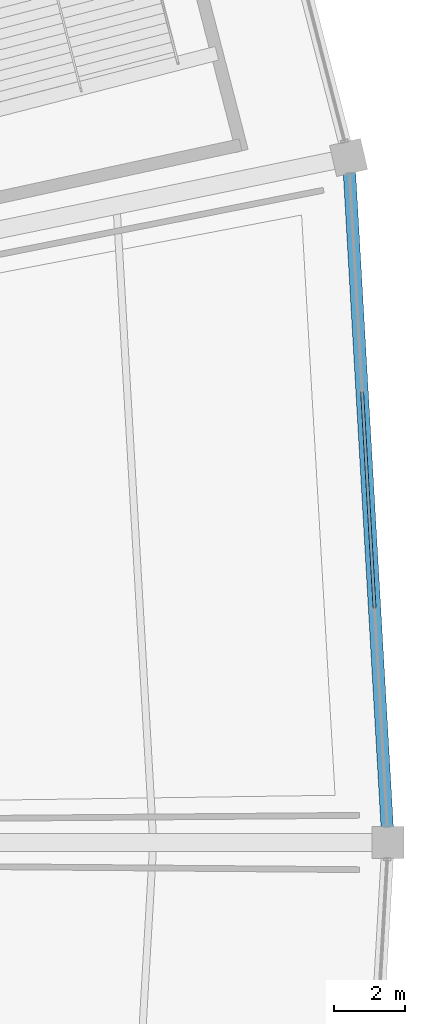
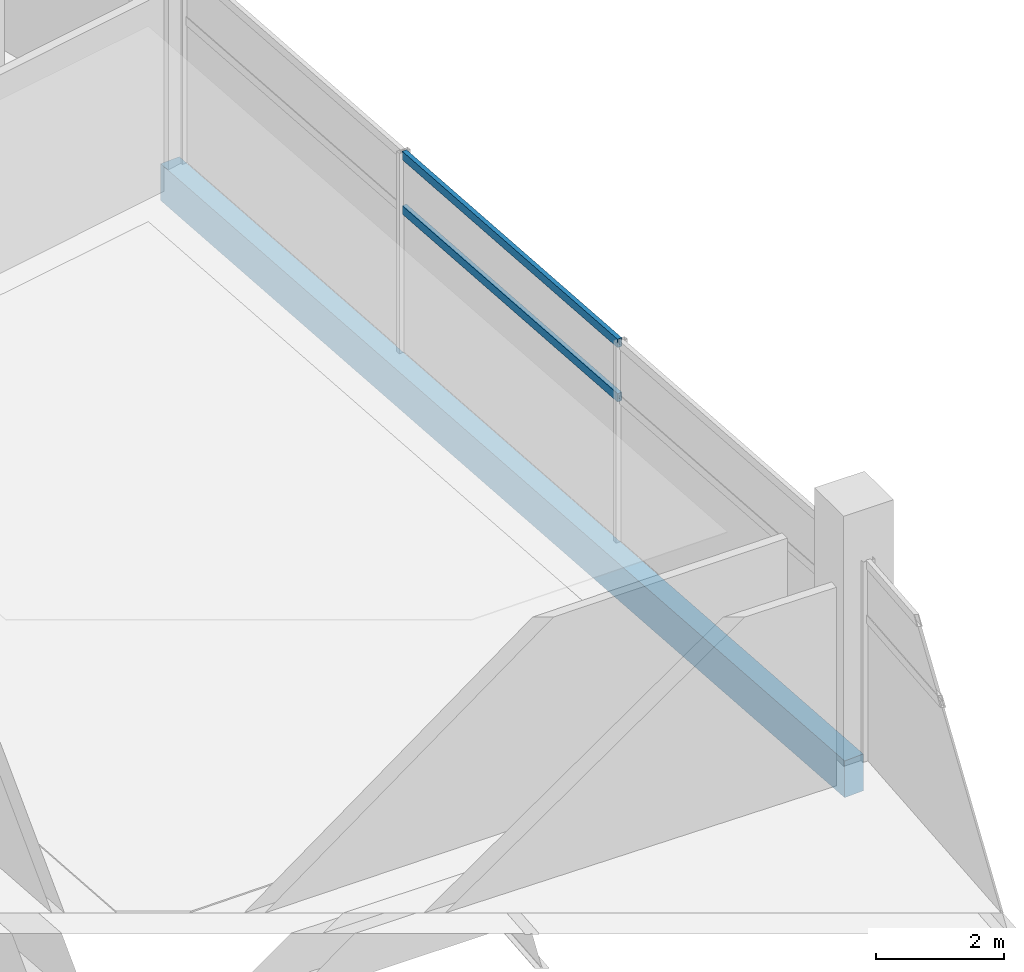
# One storey, part 73 of 171: 2 members, 1 beam, 1 element without a shape of its own.
"""IFC4 building model written with IfcOpenShell, lengths in metres."""

from ifc_helpers import new_model, si_unit, direction, frame, origin, origin_2d, place, context, subcontext, project, spatial, rectangle, hollow_rectangle, extrude, material, layer, layer_set, material_profile, profile_set, type_object, element, aggregate, save


model = new_model("IFC4")

# Units and contexts
model_context = context("Model", 3, precision=1e-05, world=origin(), true_north=direction((0.0, 1.0)))
body_context = subcontext(model_context, "Body", "Model", "MODEL_VIEW")
ifc_project = project(units=[si_unit("LENGTHUNIT", "METRE"), si_unit("AREAUNIT", "SQUARE_METRE"), si_unit("VOLUMEUNIT", "CUBIC_METRE"), si_unit("PLANEANGLEUNIT", "RADIAN"), si_unit("MASSUNIT", "GRAM", prefix="KILO")], contexts=[model_context])

# Site, building, storey
site_placement = place(None, origin())
site = spatial("IfcSite", under=ifc_project, at=site_placement, CompositionType="ELEMENT")
building_placement = place(site_placement, origin())
building = spatial("IfcBuilding", under=site, at=building_placement, Name="Kazemori Nagisa Stadium", CompositionType="ELEMENT")
storey_placement = place(building_placement, frame((0.0, 0.0, 15.639892578125)))
storey = spatial("IfcBuildingStorey", under=building, at=storey_placement, Name="L03", CompositionType="ELEMENT", Elevation=15.639892578125)

# Beam
ifc_material_1 = material(Name="Concrete C40/50 (Fc42)", Category="concrete")
ifc_material_profile_1 = material_profile(ifc_material_1, rectangle(XDim=0.35009765625, YDim=0.699951171875, at=origin_2d()), Name="RC-SP-350x700")
ifc_profile_set_1 = profile_set([ifc_material_profile_1], Name="Concrete C40/50 (Fc42)")
beam_type = type_object("IfcBeamType", Name="Beam_BS-RC350X700", PredefinedType="SPANDREL", material=ifc_profile_set_1)
beam_placement = place(storey_placement, frame((218.0, 102.0, -0.60986328125), z_axis=(-0.057598702622, 0.998339816624, 0.0), x_axis=(-0.998339816624, -0.057598702622, 0.0)))
element("IfcBeam", 1, at=beam_placement, inside=storey, type_object=beam_type, Name="Ring girder BS-RC350X700 L03 R3-01", PredefinedType="SPANDREL", context=body_context, shape_type="SweptSolid", body=[
    extrude(rectangle(XDim=0.35009765625, YDim=0.699951171875, at=origin_2d()), origin(), (0.0, 0.0, 1.0), 19.429931640625),
])

# Curtain wall, members
ifc_material_2 = material(Name="Anodised aluminium 6063-T5", Category="aluminium")
ifc_layer = layer(ifc_material_2, 0.2099609375, Name="Anodised aluminium 6063-T5", Category="aluminium")
ifc_layer_set = layer_set([ifc_layer], Name="Anodised aluminium 6063-T5")
curtain_wall_type = type_object("IfcCurtainWallType", Name="CW_L03R3_93", PredefinedType="USERDEFINED", material=ifc_layer_set)
curtain_wall_placement = place(storey_placement, origin())
curtain_wall = element("IfcCurtainWall", 2, at=curtain_wall_placement, inside=storey, type_object=curtain_wall_type, Name="Unitised curtain wall CW-L03R3-93 L03", ObjectType="UNITISED CURTAIN WALL", PredefinedType="USERDEFINED")
ifc_material_3 = material(Name="Aluminium 6063-T5 anodised", Category="aluminium")
ifc_material_profile_2 = material_profile(ifc_material_3, hollow_rectangle(XDim=0.080078125, YDim=0.159912109375, WallThickness=0.00390625, at=origin_2d()), Name="ALU-TRAN-80x160x4")
ifc_profile_set_2 = profile_set([ifc_material_profile_2], Name="Aluminium 6063-T5 anodised")
member_type = type_object("IfcMemberType", Name="Transom_T02", PredefinedType="USERDEFINED", material=ifc_profile_set_2)
member_1_placement = place(storey_placement, frame((217.61669921875, 108.64404296875, 2.705322265625), z_axis=(-0.057606475429, 0.998339368145, 0.0), x_axis=(-0.998339368145, -0.057606475429, 0.0)))
member_1 = element("IfcMember", 3, at=member_1_placement, type_object=member_type, Name="Curtain wall transom CW-L03R3-93-T2-mid", ObjectType="TRANSOM", PredefinedType="USERDEFINED", context=body_context, shape_type="SweptSolid", body=[
    extrude(hollow_rectangle(XDim=0.080078125, YDim=0.159912109375, WallThickness=0.00390625, at=origin_2d()), origin(), (0.0, 0.0, 1.0), 6.119873046875),
])
member_2_placement = place(storey_placement, frame((217.61669921875, 108.64404296875, 3.739990234375), z_axis=(-0.057606475429, 0.998339368145, 0.0), x_axis=(-0.998339368145, -0.057606475429, 0.0)))
member_2 = element("IfcMember", 4, at=member_2_placement, type_object=member_type, Name="Curtain wall transom CW-L03R3-93-T2-head", ObjectType="TRANSOM", PredefinedType="USERDEFINED", context=body_context, shape_type="SweptSolid", body=[
    extrude(hollow_rectangle(XDim=0.080078125, YDim=0.159912109375, WallThickness=0.00390625, at=origin_2d()), origin(), (0.0, 0.0, 1.0), 6.119873046875),
])
aggregate(curtain_wall, [member_1, member_2])

save(model, "model.ifc")
